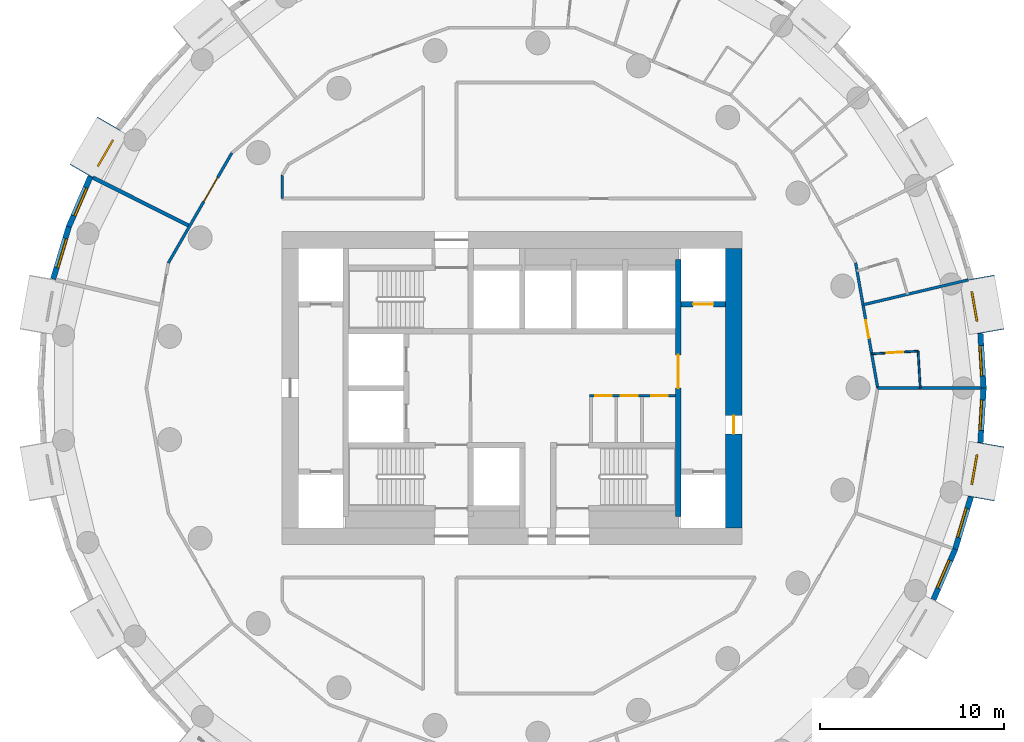
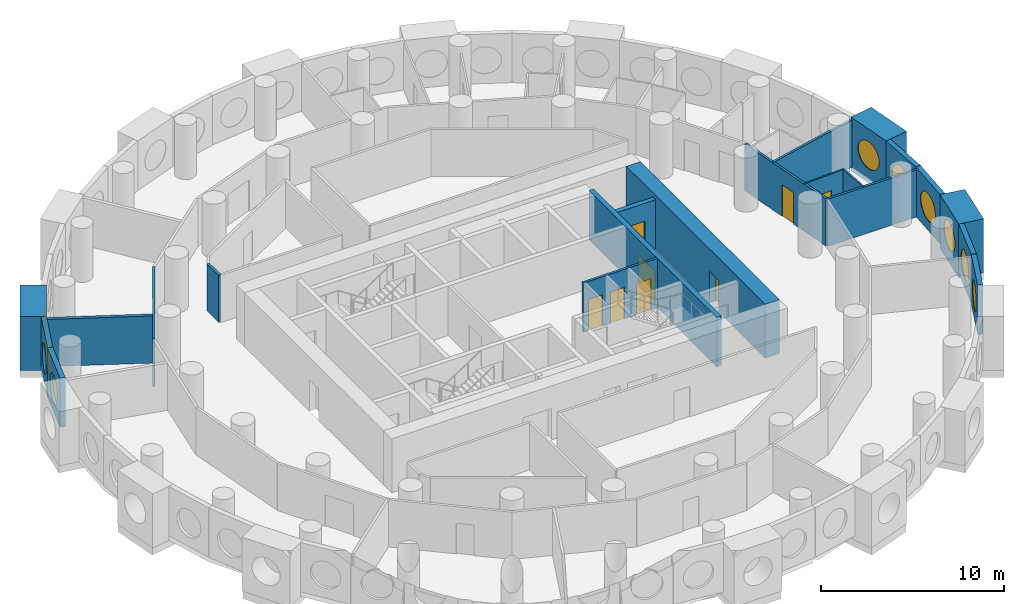
# One storey, part 5 of 10: 21 walls, 9 doors, 9 windows, 18 openings.
"""IFC4 building model written with IfcOpenShell, lengths in metres."""

from ifc_helpers import new_model, si_unit, direction, frame, frame_2d, origin, origin_2d, place, context, subcontext, project, spatial, rectangle, circle, extrude, material, layer, layer_set, type_object, element, fill, save


model = new_model("IFC4")

# Units and contexts
model_context = context("Model", 3, precision=1e-05, world=origin(), true_north=direction((0.0, 1.0)))
body_context = subcontext(model_context, "Body", "Model", "MODEL_VIEW")
ifc_project = project(units=[si_unit("LENGTHUNIT", "METRE"), si_unit("AREAUNIT", "SQUARE_METRE"), si_unit("VOLUMEUNIT", "CUBIC_METRE"), si_unit("PLANEANGLEUNIT", "RADIAN"), si_unit("MASSUNIT", "GRAM", prefix="KILO")], contexts=[model_context])

# Site, building, storey
site_placement = place(None, origin())
site = spatial("IfcSite", under=ifc_project, at=site_placement, CompositionType="ELEMENT")
building_placement = place(site_placement, origin())
building = spatial("IfcBuilding", under=site, at=building_placement, Name="Tracery Tower", CompositionType="ELEMENT")
storey_placement = place(building_placement, frame((0.0, 0.0, 212.39990234375)))
storey = spatial("IfcBuildingStorey", under=building, at=storey_placement, Name="L55", CompositionType="ELEMENT", Elevation=212.39990234375)

# Wall, openings, doors
ifc_material_1 = material(Name="Plasterboard on steel studs", Category="steel")
ifc_layer_1 = layer(ifc_material_1, 0.14990234375)
ifc_layer_set_1 = layer_set([ifc_layer_1], Name="Core room partition 150")
wall_type_1 = type_object("IfcWallType", Name="Core room partition 150", PredefinedType="SOLIDWALL", material=ifc_layer_set_1)
wall_1_placement = place(storey_placement, frame((4.22509765625, -0.425048828125, 0.0), z_axis=(0.0, 0.0, 1.0), x_axis=(1.0, 0.0, 0.0)))
wall_1 = element("IfcWall", 1, at=wall_1_placement, inside=storey, type_object=wall_type_1, Name="L55 slot N", PredefinedType="SOLIDWALL", context=body_context, shape_type="SweptSolid", body=[
    extrude(rectangle(XDim=4.6748046875, YDim=0.14990234375, at=frame_2d((2.33740234375, 0.0))), origin(), (0.0, 0.0, 1.0), 3.300048828125),
])
opening_1_placement = place(wall_1_placement, frame((0.3125, 0.0, 0.0)))
opening_1 = element("IfcOpeningElement", 2, at=opening_1_placement, cuts=wall_1, Name="Opening KD32", PredefinedType="OPENING", context=body_context, shape_type="SweptSolid", body=[
    extrude(rectangle(XDim=0.89990234375, YDim=2.10009765625, at=frame_2d((0.449951171875, 1.050048828125))), frame((0.0, 0.074951171875, 0.0), z_axis=(0.0, -1.0, 0.0), x_axis=(1.0, 0.0, 0.0)), (0.0, 0.0, 1.0), 0.14990234375),
])
opening_2_placement = place(wall_1_placement, frame((1.699951171875, 0.0, 0.0)))
opening_2 = element("IfcOpeningElement", 3, at=opening_2_placement, cuts=wall_1, Name="Opening KD26", PredefinedType="OPENING", context=body_context, shape_type="SweptSolid", body=[
    extrude(rectangle(XDim=0.89990234375, YDim=2.10009765625, at=frame_2d((0.449951171875, 1.050048828125))), frame((0.0, 0.074951171875, 0.0), z_axis=(0.0, -1.0, 0.0), x_axis=(1.0, 0.0, 0.0)), (0.0, 0.0, 1.0), 0.14990234375),
])
opening_3_placement = place(wall_1_placement, frame((3.35009765625, 0.0, 0.0)))
opening_3 = element("IfcOpeningElement", 4, at=opening_3_placement, cuts=wall_1, Name="Opening KD22", PredefinedType="OPENING", context=body_context, shape_type="SweptSolid", body=[
    extrude(rectangle(XDim=0.89990234375, YDim=2.10009765625, at=frame_2d((0.449951171875, 1.050048828125))), frame((0.0, 0.074951171875, 0.0), z_axis=(0.0, -1.0, 0.0), x_axis=(1.0, 0.0, 0.0)), (0.0, 0.0, 1.0), 0.14990234375),
])
ifc_material_2 = material(Name="Timber door leaf", Category="wood")
door_type_1 = type_object("IfcDoorType", Name="Core WC door 900", OperationType="NOTDEFINED", PredefinedType="DOOR", material=ifc_material_2)
door_1_placement = place(opening_3_placement, origin())
door_1 = element("IfcDoor", 5, at=door_1_placement, inside=storey, type_object=door_type_1, Name="Core door", OperationType="SINGLE_SWING_RIGHT", OverallHeight=2.10009765625, OverallWidth=0.89990234375, PredefinedType="DOOR", context=body_context, shape_type="SweptSolid", body=[
    extrude(rectangle(XDim=0.89990234375, YDim=2.10009765625, at=frame_2d((0.449951171875, 1.050048828125))), frame((0.0, 0.02490234375, 0.0), z_axis=(0.0, -1.0, 0.0), x_axis=(1.0, 0.0, 0.0)), (0.0, 0.0, 1.0), 0.050048828125),
])
fill(opening_3, door_1)
ifc_material_3 = material(Name="Steel fire door", Category="steel")
door_type_2 = type_object("IfcDoorType", Name="Core riser door 900", OperationType="NOTDEFINED", PredefinedType="DOOR", material=ifc_material_3)
door_2_placement = place(opening_1_placement, origin())
door_2 = element("IfcDoor", 6, at=door_2_placement, inside=storey, type_object=door_type_2, Name="Core door", OperationType="SINGLE_SWING_RIGHT", OverallHeight=2.10009765625, OverallWidth=0.89990234375, PredefinedType="DOOR", context=body_context, shape_type="SweptSolid", body=[
    extrude(rectangle(XDim=0.89990234375, YDim=2.10009765625, at=frame_2d((0.449951171875, 1.050048828125))), frame((0.0, 0.02490234375, 0.0), z_axis=(0.0, -1.0, 0.0), x_axis=(1.0, 0.0, 0.0)), (0.0, 0.0, 1.0), 0.050048828125),
])
fill(opening_1, door_2)
ifc_material_4 = material(Name="Timber door leaf", Category="wood")
door_type_3 = type_object("IfcDoorType", Name="Core store door 900", OperationType="NOTDEFINED", PredefinedType="DOOR", material=ifc_material_4)
door_3_placement = place(opening_2_placement, origin())
door_3 = element("IfcDoor", 7, at=door_3_placement, inside=storey, type_object=door_type_3, Name="Core door", OperationType="SINGLE_SWING_LEFT", OverallHeight=2.10009765625, OverallWidth=0.89990234375, PredefinedType="DOOR", context=body_context, shape_type="SweptSolid", body=[
    extrude(rectangle(XDim=0.89990234375, YDim=2.10009765625, at=frame_2d((0.449951171875, 1.050048828125))), frame((0.0, 0.02490234375, 0.0), z_axis=(0.0, -1.0, 0.0), x_axis=(1.0, 0.0, 0.0)), (0.0, 0.0, 1.0), 0.050048828125),
])
fill(opening_2, door_3)

# Wall, opening, door
ifc_material_5 = material(Name="Concrete C50/60", Category="concrete")
ifc_layer_2 = layer(ifc_material_5, 0.89990234375)
ifc_layer_set_2 = layer_set([ifc_layer_2], Name="Core wall 900 C50")
wall_type_2 = type_object("IfcWallType", Name="Core wall 900 C50", PredefinedType="SOLIDWALL", material=ifc_layer_set_2)
wall_2_placement = place(storey_placement, frame((12.050048828125, -7.60009765625, 0.0), z_axis=(0.0, 0.0, 1.0), x_axis=(0.0, 1.0, 0.0)))
wall_2 = element("IfcWall", 8, at=wall_2_placement, inside=storey, type_object=wall_type_2, Name="L55 outer E", PredefinedType="SOLIDWALL", context=body_context, shape_type="SweptSolid", body=[
    extrude(rectangle(XDim=15.2001953125, YDim=0.89990234375, at=frame_2d((7.60009765625, 0.0))), origin(), (0.0, 0.0, 1.0), 3.60009765625),
])
opening_4_placement = place(wall_2_placement, frame((5.10009765625, 0.0, 0.0)))
opening_4 = element("IfcOpeningElement", 9, at=opening_4_placement, cuts=wall_2, Name="Opening KD18", PredefinedType="OPENING", context=body_context, shape_type="SweptSolid", body=[
    extrude(rectangle(XDim=1.0, YDim=2.10009765625, at=frame_2d((0.5, 1.050048828125))), frame((0.0, 0.449951171875, 0.0), z_axis=(0.0, -1.0, 0.0), x_axis=(1.0, 0.0, 0.0)), (0.0, 0.0, 1.0), 0.89990234375),
])
ifc_material_6 = material(Name="Steel fire door", Category="steel")
door_type_4 = type_object("IfcDoorType", Name="Core exit door 1000", OperationType="NOTDEFINED", PredefinedType="DOOR", material=ifc_material_6)
door_4_placement = place(opening_4_placement, origin())
door_4 = element("IfcDoor", 10, at=door_4_placement, inside=storey, type_object=door_type_4, Name="Core exit door", OperationType="DOUBLE_DOOR_SINGLE_SWING", OverallHeight=2.10009765625, OverallWidth=1.0, PredefinedType="DOOR", context=body_context, shape_type="SweptSolid", body=[
    extrude(rectangle(XDim=1.0, YDim=2.10009765625, at=frame_2d((0.5, 1.050048828125))), frame((0.0, 0.02490234375, 0.0), z_axis=(0.0, -1.0, 0.0), x_axis=(1.0, 0.0, 0.0)), (0.0, 0.0, 1.0), 0.050048828125),
])
fill(opening_4, door_4)

# Wall, opening, window
ifc_material_7 = material(Name="Precast concrete C50/60", Category="concrete")
ifc_layer_3 = layer(ifc_material_7, 1.449951171875)
ifc_layer_set_3 = layer_set([ifc_layer_3], Name="Deep-set bay unit 3000 x 3600, slab edge 300")
wall_type_3 = type_object("IfcWallType", Name="Deep-set bay unit 3000 x 3600, slab edge 300", PredefinedType="ELEMENTEDWALL", material=ifc_layer_set_3)
wall_3_placement = place(storey_placement, frame((26.041748046875, 3.06884765625, -0.2998046875), z_axis=(0.0, 0.0, 1.0), x_axis=(-0.173669267716, 0.984804034035, 0.0)))
wall_3 = element("IfcWall", 11, at=wall_3_placement, inside=storey, type_object=wall_type_3, Name="Deep-set bay unit 2 at L55", PredefinedType="ELEMENTEDWALL", context=body_context, shape_type="SweptSolid", body=[
    extrude(rectangle(XDim=3.0, YDim=1.449951171875, at=frame_2d((1.5, 0.0))), origin(), (0.0, 0.0, 1.0), 3.599853515625),
])
opening_5_placement = place(wall_3_placement, frame((1.5, 0.0, 1.85009765625)))
opening_5 = element("IfcOpeningElement", 12, at=opening_5_placement, cuts=wall_3, Name="Opening WN1", PredefinedType="OPENING", context=body_context, shape_type="SweptSolid", body=[
    extrude(circle(Radius=0.9000244140625, at=origin_2d()), frame((0.0, 0.73486328125, 0.0), z_axis=(0.0, -1.0, 0.0), x_axis=(1.0, 0.0, 0.0)), (0.0, 0.0, 1.0), 1.469970703125),
])
ifc_material_8 = material(Name="Aluminium frame with tinted double glazing", Category="aluminium")
window_type = type_object("IfcWindowType", Name="Round window 1800", PartitioningType="SINGLE_PANEL", PredefinedType="WINDOW", material=ifc_material_8)
window_1_placement = place(opening_5_placement, origin())
window_1 = element("IfcWindow", 13, at=window_1_placement, inside=storey, type_object=window_type, Name="Round window 2 at L55", OverallHeight=1.800048828125, OverallWidth=1.800048828125, PartitioningType="SINGLE_PANEL", PredefinedType="WINDOW", context=body_context, shape_type="SweptSolid", body=[
    extrude(circle(Radius=0.9000244140625, at=origin_2d()), frame((0.0, 0.69482421875, 0.0), z_axis=(0.0, -1.0, 0.0), x_axis=(1.0, 0.0, 0.0)), (0.0, 0.0, 1.0), 0.10009765625),
])
fill(opening_5, window_1)

wall_4_placement = place(storey_placement, frame((-21.921630859375, 14.388671875, -0.2998046875), z_axis=(0.0, 0.0, 1.0), x_axis=(-0.499990139034, -0.866031096941, 0.0)))
wall_4 = element("IfcWall", 14, at=wall_4_placement, inside=storey, type_object=wall_type_3, Name="Deep-set bay unit 23 at L55", PredefinedType="ELEMENTEDWALL", context=body_context, shape_type="SweptSolid", body=[
    extrude(rectangle(XDim=3.0, YDim=1.449951171875, at=frame_2d((1.5, 0.0))), origin(), (0.0, 0.0, 1.0), 3.599853515625),
])
opening_6_placement = place(wall_4_placement, frame((1.5, 0.0, 1.85009765625)))
opening_6 = element("IfcOpeningElement", 15, at=opening_6_placement, cuts=wall_4, Name="Opening WN1", PredefinedType="OPENING", context=body_context, shape_type="SweptSolid", body=[
    extrude(circle(Radius=0.9000244140625, at=origin_2d()), frame((0.0, 0.73486328125, 0.0), z_axis=(0.0, -1.0, 0.0), x_axis=(1.0, 0.0, 0.0)), (0.0, 0.0, 1.0), 1.469970703125),
])
window_2_placement = place(opening_6_placement, origin())
window_2 = element("IfcWindow", 16, at=window_2_placement, inside=storey, type_object=window_type, Name="Round window 23 at L55", OverallHeight=1.800048828125, OverallWidth=1.800048828125, PartitioningType="SINGLE_PANEL", PredefinedType="WINDOW", context=body_context, shape_type="SweptSolid", body=[
    extrude(circle(Radius=0.9000244140625, at=origin_2d()), frame((0.0, 0.69482421875, 0.0), z_axis=(0.0, -1.0, 0.0), x_axis=(1.0, 0.0, 0.0)), (0.0, 0.0, 1.0), 0.10009765625),
])
fill(opening_6, window_2)

wall_5_placement = place(storey_placement, frame((25.520751953125, -6.023193359375, -0.2998046875), z_axis=(0.0, 0.0, 1.0), x_axis=(0.173669267716, 0.984804034035, 0.0)))
wall_5 = element("IfcWall", 17, at=wall_5_placement, inside=storey, type_object=wall_type_3, Name="Deep-set bay unit 53 at L55", PredefinedType="ELEMENTEDWALL", context=body_context, shape_type="SweptSolid", body=[
    extrude(rectangle(XDim=3.0, YDim=1.449951171875, at=frame_2d((1.5, 0.0))), origin(), (0.0, 0.0, 1.0), 3.599853515625),
])
opening_7_placement = place(wall_5_placement, frame((1.5, 0.0, 1.85009765625)))
opening_7 = element("IfcOpeningElement", 18, at=opening_7_placement, cuts=wall_5, Name="Opening WN1", PredefinedType="OPENING", context=body_context, shape_type="SweptSolid", body=[
    extrude(circle(Radius=0.9000244140625, at=origin_2d()), frame((0.0, 0.73486328125, 0.0), z_axis=(0.0, -1.0, 0.0), x_axis=(1.0, 0.0, 0.0)), (0.0, 0.0, 1.0), 1.469970703125),
])
window_3_placement = place(opening_7_placement, origin())
window_3 = element("IfcWindow", 19, at=window_3_placement, inside=storey, type_object=window_type, Name="Round window 53 at L55", OverallHeight=1.800048828125, OverallWidth=1.800048828125, PartitioningType="SINGLE_PANEL", PredefinedType="WINDOW", context=body_context, shape_type="SweptSolid", body=[
    extrude(circle(Radius=0.9000244140625, at=origin_2d()), frame((0.0, 0.69482421875, 0.0), z_axis=(0.0, -1.0, 0.0), x_axis=(1.0, 0.0, 0.0)), (0.0, 0.0, 1.0), 0.10009765625),
])
fill(opening_7, window_3)

ifc_material_9 = material(Name="Precast concrete C50/60", Category="concrete")
ifc_layer_4 = layer(ifc_material_9, 0.300048828125)
ifc_layer_set_4 = layer_set([ifc_layer_4], Name="Facade panel 3000 x 3300")
wall_type_4 = type_object("IfcWallType", Name="Facade panel 3000 x 3300", PredefinedType="SOLIDWALL", material=ifc_layer_set_4)
wall_6_placement = place(storey_placement, frame((25.6474609375, 0.0, 0.0), z_axis=(0.0, 0.0, 1.0), x_axis=(-0.058144307138, 0.998308188661, 0.0)))
wall_6 = element("IfcWall", 20, at=wall_6_placement, inside=storey, type_object=wall_type_4, Name="Facade panel 1 at L55", PredefinedType="SOLIDWALL", context=body_context, shape_type="SweptSolid", body=[
    extrude(rectangle(XDim=2.972900390625, YDim=0.300048828125, at=frame_2d((1.486328125, 0.0))), origin(), (0.0, 0.0, 1.0), 3.300048828125),
])
opening_8_placement = place(wall_6_placement, frame((1.486328125, 0.0, 1.5498046875)))
opening_8 = element("IfcOpeningElement", 21, at=opening_8_placement, cuts=wall_6, Name="Opening WN1", PredefinedType="OPENING", context=body_context, shape_type="SweptSolid", body=[
    extrude(circle(Radius=0.9000244140625, at=origin_2d()), frame((0.0, 0.159912109375, 0.0), z_axis=(0.0, -1.0, 0.0), x_axis=(1.0, 0.0, 0.0)), (0.0, 0.0, 1.0), 0.320068359375),
])
window_4_placement = place(opening_8_placement, origin())
window_4 = element("IfcWindow", 22, at=window_4_placement, inside=storey, type_object=window_type, Name="Round window 1 at L55", OverallHeight=1.800048828125, OverallWidth=1.800048828125, PartitioningType="SINGLE_PANEL", PredefinedType="WINDOW", context=body_context, shape_type="SweptSolid", body=[
    extrude(circle(Radius=0.9000244140625, at=origin_2d()), frame((0.0, 0.1201171875, 0.0), z_axis=(0.0, -1.0, 0.0), x_axis=(1.0, 0.0, 0.0)), (0.0, 0.0, 1.0), 0.10009765625),
])
fill(opening_8, window_4)

wall_7_placement = place(storey_placement, frame((-22.923095703125, 11.501708984375, 0.0), z_axis=(0.0, 0.0, 1.0), x_axis=(-0.396148129016, -0.918186614952, 0.0)))
wall_7 = element("IfcWall", 23, at=wall_7_placement, inside=storey, type_object=wall_type_4, Name="Facade panel 24 at L55", PredefinedType="SOLIDWALL", context=body_context, shape_type="SweptSolid", body=[
    extrude(rectangle(XDim=2.972900390625, YDim=0.300048828125, at=frame_2d((1.486328125, 0.0))), origin(), (0.0, 0.0, 1.0), 3.300048828125),
])
opening_9_placement = place(wall_7_placement, frame((1.486328125, 0.0, 1.5498046875)))
opening_9 = element("IfcOpeningElement", 24, at=opening_9_placement, cuts=wall_7, Name="Opening WN1", PredefinedType="OPENING", context=body_context, shape_type="SweptSolid", body=[
    extrude(circle(Radius=0.9000244140625, at=origin_2d()), frame((0.0, 0.159912109375, 0.0), z_axis=(0.0, -1.0, 0.0), x_axis=(1.0, 0.0, 0.0)), (0.0, 0.0, 1.0), 0.320068359375),
])
window_5_placement = place(opening_9_placement, origin())
window_5 = element("IfcWindow", 25, at=window_5_placement, inside=storey, type_object=window_type, Name="Round window 24 at L55", OverallHeight=1.800048828125, OverallWidth=1.800048828125, PartitioningType="SINGLE_PANEL", PredefinedType="WINDOW", context=body_context, shape_type="SweptSolid", body=[
    extrude(circle(Radius=0.9000244140625, at=origin_2d()), frame((0.0, 0.1201171875, 0.0), z_axis=(0.0, -1.0, 0.0), x_axis=(1.0, 0.0, 0.0)), (0.0, 0.0, 1.0), 0.10009765625),
])
fill(opening_9, window_5)

wall_8_placement = place(storey_placement, frame((-24.100830078125, 8.77197265625, 0.0), z_axis=(0.0, 0.0, 1.0), x_axis=(-0.286782750849, -0.957995643944, 0.0)))
wall_8 = element("IfcWall", 26, at=wall_8_placement, inside=storey, type_object=wall_type_4, Name="Facade panel 25 at L55", PredefinedType="SOLIDWALL", context=body_context, shape_type="SweptSolid", body=[
    extrude(rectangle(XDim=2.97265625, YDim=0.300048828125, at=frame_2d((1.486328125, 0.0))), origin(), (0.0, 0.0, 1.0), 3.300048828125),
])
opening_10_placement = place(wall_8_placement, frame((1.486328125, 0.0, 1.5498046875)))
opening_10 = element("IfcOpeningElement", 27, at=opening_10_placement, cuts=wall_8, Name="Opening WN1", PredefinedType="OPENING", context=body_context, shape_type="SweptSolid", body=[
    extrude(circle(Radius=0.9000244140625, at=origin_2d()), frame((0.0, 0.159912109375, 0.0), z_axis=(0.0, -1.0, 0.0), x_axis=(1.0, 0.0, 0.0)), (0.0, 0.0, 1.0), 0.320068359375),
])
window_6_placement = place(opening_10_placement, origin())
window_6 = element("IfcWindow", 28, at=window_6_placement, inside=storey, type_object=window_type, Name="Round window 25 at L55", OverallHeight=1.800048828125, OverallWidth=1.800048828125, PartitioningType="SINGLE_PANEL", PredefinedType="WINDOW", context=body_context, shape_type="SweptSolid", body=[
    extrude(circle(Radius=0.9000244140625, at=origin_2d()), frame((0.0, 0.1201171875, 0.0), z_axis=(0.0, -1.0, 0.0), x_axis=(1.0, 0.0, 0.0)), (0.0, 0.0, 1.0), 0.10009765625),
])
fill(opening_10, window_6)

wall_9_placement = place(storey_placement, frame((22.923095703125, -11.501708984375, 0.0), z_axis=(0.0, 0.0, 1.0), x_axis=(0.396148129016, 0.918186614952, 0.0)))
wall_9 = element("IfcWall", 29, at=wall_9_placement, inside=storey, type_object=wall_type_4, Name="Facade panel 51 at L55", PredefinedType="SOLIDWALL", context=body_context, shape_type="SweptSolid", body=[
    extrude(rectangle(XDim=2.972900390625, YDim=0.300048828125, at=frame_2d((1.486328125, 0.0))), origin(), (0.0, 0.0, 1.0), 3.300048828125),
])
opening_11_placement = place(wall_9_placement, frame((1.486328125, 0.0, 1.5498046875)))
opening_11 = element("IfcOpeningElement", 30, at=opening_11_placement, cuts=wall_9, Name="Opening WN1", PredefinedType="OPENING", context=body_context, shape_type="SweptSolid", body=[
    extrude(circle(Radius=0.9000244140625, at=origin_2d()), frame((0.0, 0.159912109375, 0.0), z_axis=(0.0, -1.0, 0.0), x_axis=(1.0, 0.0, 0.0)), (0.0, 0.0, 1.0), 0.320068359375),
])
window_7_placement = place(opening_11_placement, origin())
window_7 = element("IfcWindow", 31, at=window_7_placement, inside=storey, type_object=window_type, Name="Round window 51 at L55", OverallHeight=1.800048828125, OverallWidth=1.800048828125, PartitioningType="SINGLE_PANEL", PredefinedType="WINDOW", context=body_context, shape_type="SweptSolid", body=[
    extrude(circle(Radius=0.9000244140625, at=origin_2d()), frame((0.0, 0.1201171875, 0.0), z_axis=(0.0, -1.0, 0.0), x_axis=(1.0, 0.0, 0.0)), (0.0, 0.0, 1.0), 0.10009765625),
])
fill(opening_11, window_7)

wall_10_placement = place(storey_placement, frame((24.100830078125, -8.77197265625, 0.0), z_axis=(0.0, 0.0, 1.0), x_axis=(0.286782750849, 0.957995643944, 0.0)))
wall_10 = element("IfcWall", 32, at=wall_10_placement, inside=storey, type_object=wall_type_4, Name="Facade panel 52 at L55", PredefinedType="SOLIDWALL", context=body_context, shape_type="SweptSolid", body=[
    extrude(rectangle(XDim=2.97265625, YDim=0.300048828125, at=frame_2d((1.486328125, 0.0))), origin(), (0.0, 0.0, 1.0), 3.300048828125),
])
opening_12_placement = place(wall_10_placement, frame((1.486328125, 0.0, 1.5498046875)))
opening_12 = element("IfcOpeningElement", 33, at=opening_12_placement, cuts=wall_10, Name="Opening WN1", PredefinedType="OPENING", context=body_context, shape_type="SweptSolid", body=[
    extrude(circle(Radius=0.9000244140625, at=origin_2d()), frame((0.0, 0.159912109375, 0.0), z_axis=(0.0, -1.0, 0.0), x_axis=(1.0, 0.0, 0.0)), (0.0, 0.0, 1.0), 0.320068359375),
])
window_8_placement = place(opening_12_placement, origin())
window_8 = element("IfcWindow", 34, at=window_8_placement, inside=storey, type_object=window_type, Name="Round window 52 at L55", OverallHeight=1.800048828125, OverallWidth=1.800048828125, PartitioningType="SINGLE_PANEL", PredefinedType="WINDOW", context=body_context, shape_type="SweptSolid", body=[
    extrude(circle(Radius=0.9000244140625, at=origin_2d()), frame((0.0, 0.1201171875, 0.0), z_axis=(0.0, -1.0, 0.0), x_axis=(1.0, 0.0, 0.0)), (0.0, 0.0, 1.0), 0.10009765625),
])
fill(opening_12, window_8)

wall_11_placement = place(storey_placement, frame((25.474609375, -2.9677734375, 0.0), z_axis=(0.0, 0.0, 1.0), x_axis=(0.058144307138, 0.998308188661, 0.0)))
wall_11 = element("IfcWall", 35, at=wall_11_placement, inside=storey, type_object=wall_type_4, Name="Facade panel 54 at L55", PredefinedType="SOLIDWALL", context=body_context, shape_type="SweptSolid", body=[
    extrude(rectangle(XDim=2.972900390625, YDim=0.300048828125, at=frame_2d((1.486328125, 0.0))), origin(), (0.0, 0.0, 1.0), 3.300048828125),
])
opening_13_placement = place(wall_11_placement, frame((1.486328125, 0.0, 1.5498046875)))
opening_13 = element("IfcOpeningElement", 36, at=opening_13_placement, cuts=wall_11, Name="Opening WN1", PredefinedType="OPENING", context=body_context, shape_type="SweptSolid", body=[
    extrude(circle(Radius=0.9000244140625, at=origin_2d()), frame((0.0, 0.159912109375, 0.0), z_axis=(0.0, -1.0, 0.0), x_axis=(1.0, 0.0, 0.0)), (0.0, 0.0, 1.0), 0.320068359375),
])
window_9_placement = place(opening_13_placement, origin())
window_9 = element("IfcWindow", 37, at=window_9_placement, inside=storey, type_object=window_type, Name="Round window 54 at L55", OverallHeight=1.800048828125, OverallWidth=1.800048828125, PartitioningType="SINGLE_PANEL", PredefinedType="WINDOW", context=body_context, shape_type="SweptSolid", body=[
    extrude(circle(Radius=0.9000244140625, at=origin_2d()), frame((0.0, 0.1201171875, 0.0), z_axis=(0.0, -1.0, 0.0), x_axis=(1.0, 0.0, 0.0)), (0.0, 0.0, 1.0), 0.10009765625),
])
fill(opening_13, window_9)

# Wall
ifc_material_10 = material(Name="Plasterboard on steel studs", Category="steel")
ifc_layer_5 = layer(ifc_material_10, 0.10009765625)
ifc_layer_set_5 = layer_set([ifc_layer_5], Name="Partition 100 wet wall")
wall_type_5 = type_object("IfcWallType", Name="Partition 100 wet wall", PredefinedType="PARTITIONING", material=ifc_layer_set_5)
wall_12_placement = place(storey_placement, frame((22.083984375, 2.0048828125, 0.0), z_axis=(0.0, 0.0, 1.0), x_axis=(0.058230299749, -0.998303176491, 0.0)))
element("IfcWall", 38, at=wall_12_placement, inside=storey, type_object=wall_type_5, Name="Wet wall RB9-039", PredefinedType="PARTITIONING", context=body_context, shape_type="SweptSolid", body=[
    extrude(rectangle(XDim=2.00830078125, YDim=0.10009765625, at=frame_2d((1.004150390625, 0.0))), origin(), (0.0, 0.0, 1.0), 3.150146484375),
])

# Wall, opening, door
wall_13_placement = place(storey_placement, frame((19.56005859375, 1.85791015625, 0.0), z_axis=(0.0, 0.0, 1.0), x_axis=(0.998308830473, 0.05813328651, 0.0)))
wall_13 = element("IfcWall", 39, at=wall_13_placement, inside=storey, type_object=wall_type_5, Name="Wet wall RB9-040", PredefinedType="PARTITIONING", context=body_context, shape_type="SweptSolid", body=[
    extrude(rectangle(XDim=2.5283203125, YDim=0.10009765625, at=frame_2d((1.26416015625, 0.0))), origin(), (0.0, 0.0, 1.0), 3.150146484375),
])
opening_14_placement = place(wall_13_placement, frame((0.814208984375, 0.0, 0.0)))
opening_14 = element("IfcOpeningElement", 40, at=opening_14_placement, cuts=wall_13, Name="Opening RB9-05", PredefinedType="OPENING", context=body_context, shape_type="SweptSolid", body=[
    extrude(rectangle(XDim=0.89990234375, YDim=2.0400390625, at=frame_2d((0.449951171875, 1.02001953125))), frame((0.0, 0.050048828125, 0.0), z_axis=(0.0, -1.0, 0.0), x_axis=(1.0, 0.0, 0.0)), (0.0, 0.0, 1.0), 0.10009765625),
])
ifc_material_11 = material(Name="Timber door leaf", Category="wood")
door_type_5 = type_object("IfcDoorType", Name="Door en-suite 900", OperationType="NOTDEFINED", PredefinedType="DOOR", material=ifc_material_11)
door_5_placement = place(opening_14_placement, origin())
door_5 = element("IfcDoor", 41, at=door_5_placement, inside=storey, type_object=door_type_5, Name="En-suite door RB9-05", OperationType="SINGLE_SWING_LEFT", OverallHeight=2.0400390625, OverallWidth=0.89990234375, PredefinedType="DOOR", context=body_context, shape_type="SweptSolid", body=[
    extrude(rectangle(XDim=0.89990234375, YDim=2.0400390625, at=frame_2d((0.449951171875, 1.02001953125))), frame((0.0, 0.02490234375, 0.0), z_axis=(0.0, -1.0, 0.0), x_axis=(1.0, 0.0, 0.0)), (0.0, 0.0, 1.0), 0.050048828125),
])
fill(opening_14, door_5)

# Walls
ifc_material_12 = material(Name="Plasterboard on steel studs", Category="steel")
ifc_layer_6 = layer(ifc_material_12, 0.14990234375)
ifc_layer_set_6 = layer_set([ifc_layer_6], Name="Partition 150 acoustic unit wall")
wall_type_6 = type_object("IfcWallType", Name="Partition 150 acoustic unit wall", PredefinedType="PARTITIONING", material=ifc_layer_set_6)
wall_14_placement = place(storey_placement, frame((19.089599609375, 4.525390625, 0.0), z_axis=(0.0, 0.0, 1.0), x_axis=(0.973093766115, 0.230409466707, 0.0)))
element("IfcWall", 42, at=wall_14_placement, inside=storey, type_object=wall_type_6, Name="Unit wall RB9-041", PredefinedType="PARTITIONING", context=body_context, shape_type="SweptSolid", body=[
    extrude(rectangle(XDim=5.878662109375, YDim=0.14990234375, at=frame_2d((2.939453125, 0.0))), origin(), (0.0, 0.0, 1.0), 3.150146484375),
])
wall_15_placement = place(storey_placement, frame((19.887939453125, 0.0, 0.0), z_axis=(0.0, 0.0, 1.0), x_axis=(1.0, 0.0, 0.0)))
element("IfcWall", 43, at=wall_15_placement, inside=storey, type_object=wall_type_6, Name="Unit wall RB9-042", PredefinedType="PARTITIONING", context=body_context, shape_type="SweptSolid", body=[
    extrude(rectangle(XDim=5.609130859375, YDim=0.14990234375, at=frame_2d((2.8046875, 0.0))), origin(), (0.0, 0.0, 1.0), 3.150146484375),
])

# Wall, opening, door
ifc_material_13 = material(Name="Plasterboard on steel studs", Category="steel")
ifc_layer_7 = layer(ifc_material_13, 0.14990234375)
ifc_layer_set_7 = layer_set([ifc_layer_7], Name="Partition 150 corridor wall")
wall_type_7 = type_object("IfcWallType", Name="Partition 150 corridor wall", PredefinedType="PARTITIONING", material=ifc_layer_set_7)
wall_16_placement = place(storey_placement, frame((18.6875, 6.802001953125, 0.0), z_axis=(0.0, 0.0, 1.0), x_axis=(0.173831710537, -0.984775373581, 0.0)))
wall_16 = element("IfcWall", 44, at=wall_16_placement, inside=storey, type_object=wall_type_7, Name="Corridor wall RB9-007", PredefinedType="PARTITIONING", context=body_context, shape_type="SweptSolid", body=[
    extrude(rectangle(XDim=6.9072265625, YDim=0.14990234375, at=frame_2d((3.45361328125, 0.0))), origin(), (0.0, 0.0, 1.0), 3.150146484375),
])
opening_15_placement = place(wall_16_placement, frame((3.1669921875, 0.0, 0.0)))
opening_15 = element("IfcOpeningElement", 45, at=opening_15_placement, cuts=wall_16, Name="Opening RB9-06", PredefinedType="OPENING", context=body_context, shape_type="SweptSolid", body=[
    extrude(rectangle(XDim=1.0, YDim=2.10009765625, at=frame_2d((0.5, 1.050048828125))), frame((0.0, 0.074951171875, 0.0), z_axis=(0.0, -1.0, 0.0), x_axis=(1.0, 0.0, 0.0)), (0.0, 0.0, 1.0), 0.14990234375),
])
ifc_material_14 = material(Name="Timber door leaf", Category="wood")
door_type_6 = type_object("IfcDoorType", Name="Door unit entrance 1000", OperationType="NOTDEFINED", PredefinedType="DOOR", material=ifc_material_14)
door_6_placement = place(opening_15_placement, origin())
door_6 = element("IfcDoor", 46, at=door_6_placement, inside=storey, type_object=door_type_6, Name="Unit entrance door RB9-06", OperationType="SINGLE_SWING_RIGHT", OverallHeight=2.10009765625, OverallWidth=1.0, PredefinedType="DOOR", context=body_context, shape_type="SweptSolid", body=[
    extrude(rectangle(XDim=1.0, YDim=2.10009765625, at=frame_2d((0.5, 1.050048828125))), frame((0.0, 0.02490234375, 0.0), z_axis=(0.0, -1.0, 0.0), x_axis=(1.0, 0.0, 0.0)), (0.0, 0.0, 1.0), 0.050048828125),
])
fill(opening_15, door_6)

# Wall
wall_17_placement = place(storey_placement, frame((-12.5, 10.300048828125, 0.0), z_axis=(0.0, 0.0, 1.0), x_axis=(0.0, 1.0, 0.0)))
element("IfcWall", 47, at=wall_17_placement, inside=storey, type_object=wall_type_7, Name="Corridor wall RB9-023", PredefinedType="PARTITIONING", context=body_context, shape_type="SweptSolid", body=[
    extrude(rectangle(XDim=1.27685546875, YDim=0.14990234375, at=frame_2d((0.638427734375, 0.0))), origin(), (0.0, 0.0, 1.0), 3.150146484375),
])

# Wall, opening, door
wall_18_placement = place(storey_placement, frame((-18.68798828125, 6.802001953125, 0.0), z_axis=(0.0, 0.0, 1.0), x_axis=(0.499914202267, 0.866074933462, 0.0)))
wall_18 = element("IfcWall", 48, at=wall_18_placement, inside=storey, type_object=wall_type_7, Name="Corridor wall RB9-026", PredefinedType="PARTITIONING", context=body_context, shape_type="SweptSolid", body=[
    extrude(rectangle(XDim=6.906982421875, YDim=0.14990234375, at=frame_2d((3.45361328125, 0.0))), origin(), (0.0, 0.0, 1.0), 3.150146484375),
])
opening_16_placement = place(wall_18_placement, frame((3.857177734375, 0.0, 0.0)))
opening_16 = element("IfcOpeningElement", 49, at=opening_16_placement, cuts=wall_18, Name="Opening RB9-19", PredefinedType="OPENING", context=body_context, shape_type="SweptSolid", body=[
    extrude(rectangle(XDim=1.5, YDim=2.10009765625, at=frame_2d((0.75, 1.050048828125))), frame((0.0, 0.074951171875, 0.0), z_axis=(0.0, -1.0, 0.0), x_axis=(1.0, 0.0, 0.0)), (0.0, 0.0, 1.0), 0.14990234375),
])
ifc_material_15 = material(Name="Timber door leaf", Category="wood")
door_type_7 = type_object("IfcDoorType", Name="Door double kitchen 1500", OperationType="NOTDEFINED", PredefinedType="DOOR", material=ifc_material_15)
door_7_placement = place(opening_16_placement, origin())
door_7 = element("IfcDoor", 50, at=door_7_placement, inside=storey, type_object=door_type_7, Name="Double kitchen door RB9-19", OperationType="DOUBLE_DOOR_SINGLE_SWING", OverallHeight=2.10009765625, OverallWidth=1.5, PredefinedType="DOOR", context=body_context, shape_type="SweptSolid", body=[
    extrude(rectangle(XDim=1.5, YDim=2.10009765625, at=frame_2d((0.75, 1.050048828125))), frame((0.0, 0.02490234375, 0.0), z_axis=(0.0, -1.0, 0.0), x_axis=(1.0, 0.0, 0.0)), (0.0, 0.0, 1.0), 0.050048828125),
])
fill(opening_16, door_7)

# Wall
ifc_material_16 = material(Name="Plasterboard on steel studs", Category="steel")
ifc_layer_8 = layer(ifc_material_16, 0.199951171875)
ifc_layer_set_8 = layer_set([ifc_layer_8], Name="Partition 200 compartment wall")
wall_type_8 = type_object("IfcWallType", Name="Partition 200 compartment wall", PredefinedType="PARTITIONING", material=ifc_layer_set_8)
wall_19_placement = place(storey_placement, frame((-22.784912109375, 11.443115234375, 0.0), z_axis=(0.0, 0.0, 1.0), x_axis=(0.893628331628, -0.448807759415, 0.0)))
element("IfcWall", 51, at=wall_19_placement, inside=storey, type_object=wall_type_8, Name="Compartment wall RB9-064", PredefinedType="PARTITIONING", context=body_context, shape_type="SweptSolid", body=[
    extrude(rectangle(XDim=5.878173828125, YDim=0.199951171875, at=frame_2d((2.93896484375, 0.0))), origin(), (0.0, 0.0, 1.0), 3.150146484375),
])

# Wall, opening, door
ifc_material_17 = material(Name="Concrete C50/60", Category="concrete")
ifc_layer_9 = layer(ifc_material_17, 0.300048828125)
ifc_layer_set_9 = layer_set([ifc_layer_9], Name="Shaft wall 300 C50")
wall_type_9 = type_object("IfcWallType", Name="Shaft wall 300 C50", PredefinedType="SOLIDWALL", material=ifc_layer_set_9)
wall_20_placement = place(storey_placement, frame((9.199951171875, 4.550048828125, 0.0), z_axis=(0.0, 0.0, 1.0), x_axis=(1.0, 0.0, 0.0)))
wall_20 = element("IfcWall", 52, at=wall_20_placement, inside=storey, type_object=wall_type_9, Name="L55 MR E +4.55", PredefinedType="SOLIDWALL", context=body_context, shape_type="SweptSolid", body=[
    extrude(rectangle(XDim=2.400146484375, YDim=0.300048828125, at=frame_2d((1.2001953125, 0.0))), origin(), (0.0, 0.0, 1.0), 3.300048828125),
])
opening_17_placement = place(wall_20_placement, frame((0.64990234375, 0.0, 0.0)))
opening_17 = element("IfcOpeningElement", 53, at=opening_17_placement, cuts=wall_20, Name="Opening KD49", PredefinedType="OPENING", context=body_context, shape_type="SweptSolid", body=[
    extrude(rectangle(XDim=1.10009765625, YDim=2.10009765625, at=frame_2d((0.550048828125, 1.050048828125))), frame((0.0, 0.14990234375, 0.0), z_axis=(0.0, -1.0, 0.0), x_axis=(1.0, 0.0, 0.0)), (0.0, 0.0, 1.0), 0.300048828125),
])
ifc_material_18 = material(Name="Steel fire door", Category="steel")
door_type_8 = type_object("IfcDoorType", Name="Landing door 1100", OperationType="NOTDEFINED", PredefinedType="DOOR", material=ifc_material_18)
door_8_placement = place(opening_17_placement, origin())
door_8 = element("IfcDoor", 54, at=door_8_placement, inside=storey, type_object=door_type_8, Name="Landing door MR4", OperationType="SLIDING_TO_LEFT", OverallHeight=2.10009765625, OverallWidth=1.10009765625, PredefinedType="DOOR", context=body_context, shape_type="SweptSolid", body=[
    extrude(rectangle(XDim=1.10009765625, YDim=2.10009765625, at=frame_2d((0.550048828125, 1.050048828125))), frame((0.0, 0.02490234375, 0.0), z_axis=(0.0, -1.0, 0.0), x_axis=(1.0, 0.0, 0.0)), (0.0, 0.0, 1.0), 0.050048828125),
])
fill(opening_17, door_8)

ifc_material_19 = material(Name="Concrete C50/60", Category="concrete")
ifc_layer_10 = layer(ifc_material_19, 0.300048828125)
ifc_layer_set_10 = layer_set([ifc_layer_10], Name="Stair wall 300 C50")
wall_type_10 = type_object("IfcWallType", Name="Stair wall 300 C50", PredefinedType="SOLIDWALL", material=ifc_layer_set_10)
wall_21_placement = place(storey_placement, frame((9.050048828125, -7.0, 0.0), z_axis=(0.0, 0.0, 1.0), x_axis=(0.0, 1.0, 0.0)))
wall_21 = element("IfcWall", 55, at=wall_21_placement, inside=storey, type_object=wall_type_10, Name="L55 F wall +9", PredefinedType="SOLIDWALL", context=body_context, shape_type="SweptSolid", body=[
    extrude(rectangle(XDim=14.0, YDim=0.300048828125, at=frame_2d((7.0, 0.0))), origin(), (0.0, 0.0, 1.0), 3.300048828125),
])
opening_18_placement = place(wall_21_placement, frame((7.0, 0.0, 0.0)))
opening_18 = element("IfcOpeningElement", 56, at=opening_18_placement, cuts=wall_21, Name="Opening KD13", PredefinedType="OPENING", context=body_context, shape_type="SweptSolid", body=[
    extrude(rectangle(XDim=1.800048828125, YDim=2.10009765625, at=frame_2d((0.89990234375, 1.050048828125))), frame((0.0, 0.14990234375, 0.0), z_axis=(0.0, -1.0, 0.0), x_axis=(1.0, 0.0, 0.0)), (0.0, 0.0, 1.0), 0.300048828125),
])
ifc_material_20 = material(Name="Steel fire door", Category="steel")
door_type_9 = type_object("IfcDoorType", Name="Core exit door 1800 double", OperationType="NOTDEFINED", PredefinedType="DOOR", material=ifc_material_20)
door_9_placement = place(opening_18_placement, origin())
door_9 = element("IfcDoor", 57, at=door_9_placement, inside=storey, type_object=door_type_9, Name="Core exit door", OperationType="DOUBLE_DOOR_SINGLE_SWING", OverallHeight=2.10009765625, OverallWidth=1.800048828125, PredefinedType="DOOR", context=body_context, shape_type="SweptSolid", body=[
    extrude(rectangle(XDim=1.800048828125, YDim=2.10009765625, at=frame_2d((0.89990234375, 1.050048828125))), frame((0.0, 0.02490234375, 0.0), z_axis=(0.0, -1.0, 0.0), x_axis=(1.0, 0.0, 0.0)), (0.0, 0.0, 1.0), 0.050048828125),
])
fill(opening_18, door_9)

save(model, "model.ifc")
